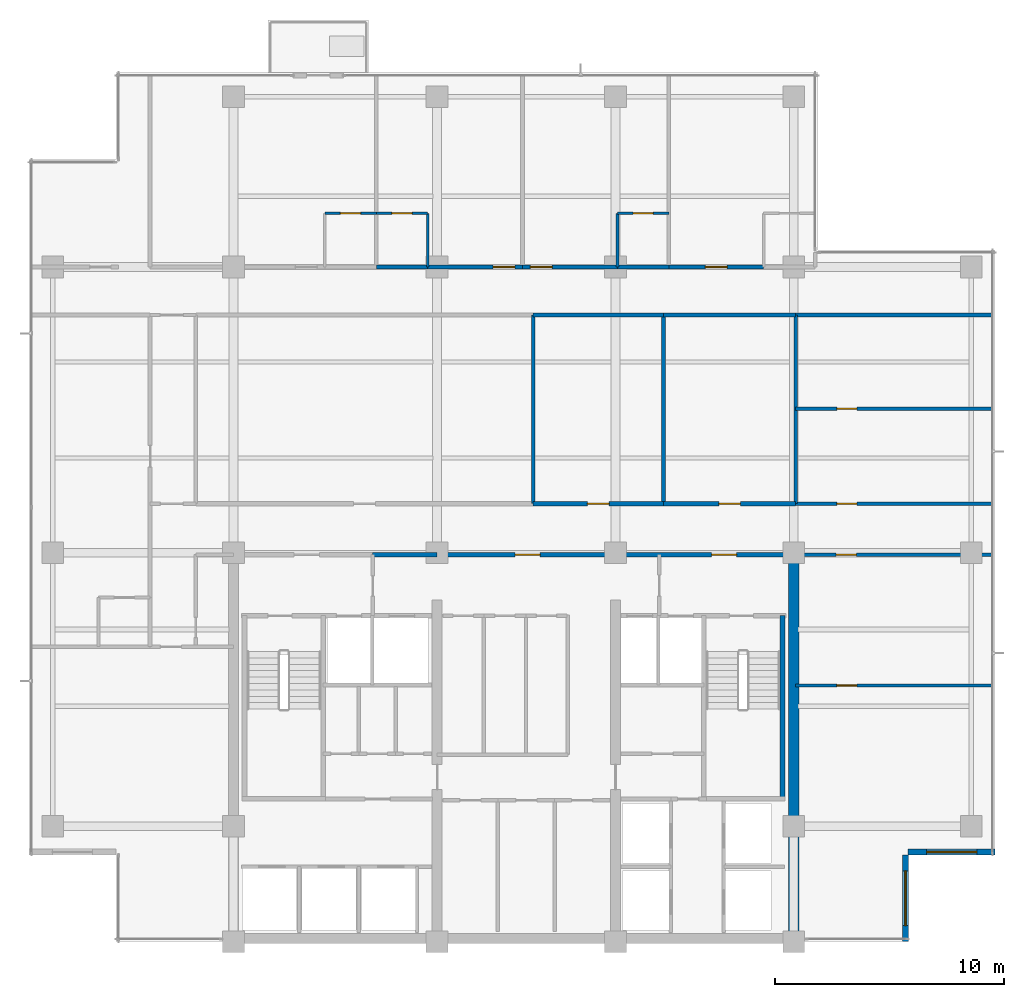
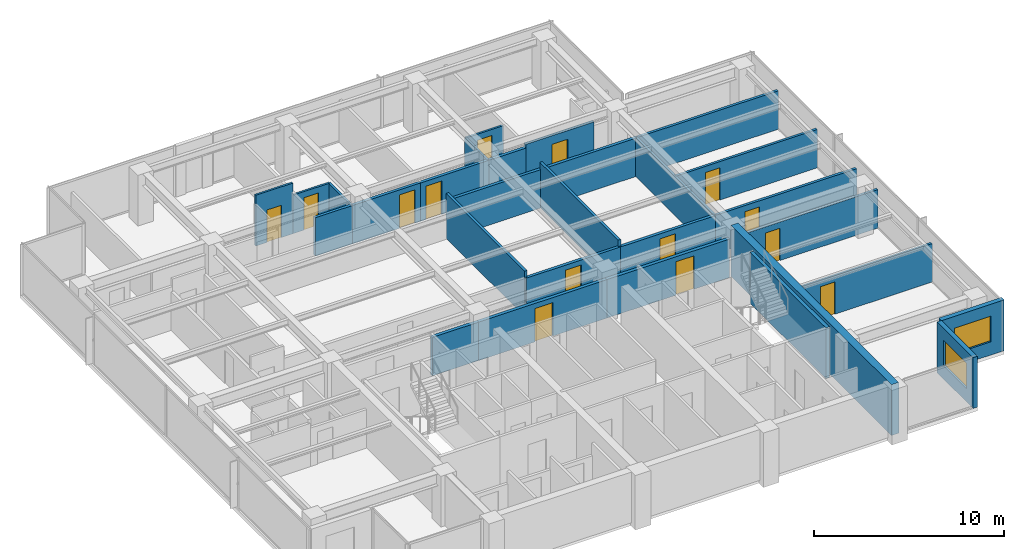
# One storey, part 9 of 14: 29 walls, 14 doors, 2 windows, 16 openings.
"""IFC4 building model written with IfcOpenShell, lengths in metres."""

from ifc_helpers import new_model, si_unit, direction, frame, frame_2d, origin, place, context, subcontext, project, spatial, rectangle, extrude, material, layer, layer_set, type_object, element, fill, save


model = new_model("IFC4")

# Units and contexts
model_context = context("Model", 3, precision=1e-05, world=origin(), true_north=direction((0.0, 1.0)))
body_context = subcontext(model_context, "Body", "Model", "MODEL_VIEW")
ifc_project = project(units=[si_unit("LENGTHUNIT", "METRE"), si_unit("AREAUNIT", "SQUARE_METRE"), si_unit("VOLUMEUNIT", "CUBIC_METRE"), si_unit("PLANEANGLEUNIT", "RADIAN"), si_unit("MASSUNIT", "GRAM", prefix="KILO")], contexts=[model_context])

# Site, building, storey
site_placement = place(None, origin())
site = spatial("IfcSite", under=ifc_project, at=site_placement, CompositionType="ELEMENT")
building_placement = place(site_placement, origin())
building = spatial("IfcBuilding", under=site, at=building_placement, Name="Qalmaran Belvedere Hotel", CompositionType="ELEMENT")
storey_placement = place(building_placement, frame((0.0, 0.0, 228.39990234375)))
storey = spatial("IfcBuildingStorey", under=building, at=storey_placement, Name="L58", CompositionType="ELEMENT", Elevation=228.39990234375)

# Wall
ifc_material_1 = material(Name="Concrete C50/60", Category="concrete")
ifc_layer_1 = layer(ifc_material_1, 0.449951171875, Name="Concrete C50/60")
ifc_layer_set_1 = layer_set([ifc_layer_1], Name="Concrete C50/60")
wall_type_1 = type_object("IfcWallType", Name="WL-CORE-450-C50", PredefinedType="SHEAR", material=ifc_layer_set_1)
wall_1_placement = place(storey_placement, frame((44.800048828125, 3.5, 0.0), z_axis=(0.0, 0.0, 1.0), x_axis=(0.0, 1.0, 0.0)))
element("IfcWall", 1, at=wall_1_placement, inside=storey, type_object=wall_type_1, Name="L58 East Core Shear Wall", PredefinedType="SHEAR", context=body_context, shape_type="SweptSolid", body=[
    extrude(rectangle(XDim=16.89990234375, YDim=0.449951171875, at=frame_2d((8.449951171875, 0.0))), origin(), (0.0, 0.0, 1.0), 3.260009765625),
])

# Wall, opening, window
ifc_material_2 = material(Name="Anodised Bronze Cladding")
ifc_layer_2 = layer(ifc_material_2, 0.280029296875, Name="Anodised Bronze Cladding")
ifc_layer_set_2 = layer_set([ifc_layer_2], Name="Anodised Bronze Cladding")
wall_type_2 = type_object("IfcWallType", Name="WL-EXT-BRNZ-280", PredefinedType="SOLIDWALL", material=ifc_layer_set_2)
wall_2_placement = place(storey_placement, frame((49.679931640625, 3.5, 0.0), z_axis=(0.0, 0.0, 1.0), x_axis=(0.0, 1.0, 0.0)))
wall_2 = element("IfcWall", 2, at=wall_2_placement, inside=storey, type_object=wall_type_2, Name="L58 Corner Notch Wall 1", PredefinedType="SOLIDWALL", context=body_context, shape_type="SweptSolid", body=[
    extrude(rectangle(XDim=3.800048828125, YDim=0.280029296875, at=frame_2d((1.89990234375, 0.0))), origin(), (0.0, 0.0, 1.0), 3.260009765625),
])
opening_1_placement = place(wall_2_placement, frame((0.699951171875, 0.0, 0.85009765625)))
opening_1 = element("IfcOpeningElement", 3, at=opening_1_placement, cuts=wall_2, Name="Opening W-N24", PredefinedType="OPENING", context=body_context, shape_type="SweptSolid", body=[
    extrude(rectangle(XDim=2.39990234375, YDim=1.64990234375, at=frame_2d((1.199951171875, 0.824951171875))), frame((0.0, 0.14990234375, 0.0), z_axis=(0.0, -1.0, 0.0), x_axis=(1.0, 0.0, 0.0)), (0.0, 0.0, 1.0), 0.300048828125),
])
ifc_material_3 = material(Name="Solar-Control Double Glazing", Category="glass")
window_type_1 = type_object("IfcWindowType", Name="WN-NTC-2400X1650", PartitioningType="SINGLE_PANEL", PredefinedType="WINDOW", material=ifc_material_3)
window_1_placement = place(opening_1_placement, origin())
window_1 = element("IfcWindow", 4, at=window_1_placement, inside=storey, type_object=window_type_1, Name="L58 Corner Notch Window 1", OverallHeight=1.64990234375, OverallWidth=2.39990234375, PartitioningType="SINGLE_PANEL", PredefinedType="WINDOW", context=body_context, shape_type="SweptSolid", body=[
    extrude(rectangle(XDim=2.39990234375, YDim=1.64990234375, at=frame_2d((1.199951171875, 0.824951171875))), frame((0.0, 0.030029296875, 0.0), z_axis=(0.0, -1.0, 0.0), x_axis=(1.0, 0.0, 0.0)), (0.0, 0.0, 1.0), 0.06005859375),
])
fill(opening_1, window_1)

wall_3_placement = place(storey_placement, frame((49.800048828125, 7.419921875, 0.0), z_axis=(0.0, 0.0, 1.0), x_axis=(1.0, 0.0, 0.0)))
wall_3 = element("IfcWall", 5, at=wall_3_placement, inside=storey, type_object=wall_type_2, Name="L58 Corner Notch Wall 2", PredefinedType="SOLIDWALL", context=body_context, shape_type="SweptSolid", body=[
    extrude(rectangle(XDim=3.800048828125, YDim=0.280029296875, at=frame_2d((1.89990234375, 0.0))), origin(), (0.0, 0.0, 1.0), 3.260009765625),
])
opening_2_placement = place(wall_3_placement, frame((0.800048828125, 0.0, 0.85009765625)))
opening_2 = element("IfcOpeningElement", 6, at=opening_2_placement, cuts=wall_3, Name="Opening W-N22", PredefinedType="OPENING", context=body_context, shape_type="SweptSolid", body=[
    extrude(rectangle(XDim=2.199951171875, YDim=1.64990234375, at=frame_2d((1.10009765625, 0.824951171875))), frame((0.0, 0.14990234375, 0.0), z_axis=(0.0, -1.0, 0.0), x_axis=(1.0, 0.0, 0.0)), (0.0, 0.0, 1.0), 0.300048828125),
])
window_type_2 = type_object("IfcWindowType", Name="WN-NTC-2200X1650", PartitioningType="SINGLE_PANEL", PredefinedType="WINDOW", material=ifc_material_3)
window_2_placement = place(opening_2_placement, origin())
window_2 = element("IfcWindow", 7, at=window_2_placement, inside=storey, type_object=window_type_2, Name="L58 Corner Notch Window 2", OverallHeight=1.64990234375, OverallWidth=2.199951171875, PartitioningType="SINGLE_PANEL", PredefinedType="WINDOW", context=body_context, shape_type="SweptSolid", body=[
    extrude(rectangle(XDim=2.199951171875, YDim=1.64990234375, at=frame_2d((1.10009765625, 0.824951171875))), frame((0.0, 0.030029296875, 0.0), z_axis=(0.0, -1.0, 0.0), x_axis=(1.0, 0.0, 0.0)), (0.0, 0.0, 1.0), 0.06005859375),
])
fill(opening_2, window_2)

# Wall, opening, door
ifc_material_4 = material(Name="Moisture-Resistant Gypsum")
ifc_layer_3 = layer(ifc_material_4, 0.1201171875, Name="Moisture-Resistant Gypsum")
ifc_layer_set_3 = layer_set([ifc_layer_3], Name="Moisture-Resistant Gypsum")
wall_type_3 = type_object("IfcWallType", Name="WL-INT-120-BATH", PredefinedType="PARTITIONING", material=ifc_layer_set_3)
wall_4_placement = place(storey_placement, frame((24.290283203125, 35.35009765625, 0.0), z_axis=(0.0, 0.0, 1.0), x_axis=(1.0, 0.0, 0.0)))
wall_4 = element("IfcWall", 8, at=wall_4_placement, inside=storey, type_object=wall_type_3, Name="L58 Partition WL-L58-NBN00", PredefinedType="PARTITIONING", context=body_context, shape_type="SweptSolid", body=[
    extrude(rectangle(XDim=2.25, YDim=0.1201171875, at=frame_2d((1.125, 0.0))), origin(), (0.0, 0.0, 1.0), 3.260009765625),
])
opening_3_placement = place(wall_4_placement, frame((1.56494140625, 0.0, 0.0), z_axis=(0.0, 0.0, 1.0), x_axis=(-1.0, 0.0, 0.0)))
opening_3 = element("IfcOpeningElement", 9, at=opening_3_placement, cuts=wall_4, Name="Opening D-BATH", PredefinedType="OPENING", context=body_context, shape_type="SweptSolid", body=[
    extrude(rectangle(XDim=0.8798828125, YDim=2.080078125, at=frame_2d((0.43994140625, 1.0400390625))), frame((0.0, 0.070068359375, 0.0), z_axis=(0.0, -1.0, 0.0), x_axis=(1.0, 0.0, 0.0)), (0.0, 0.0, 1.0), 0.14013671875),
])
ifc_material_5 = material(Name="Engineered Oak Veneer")
door_type_1 = type_object("IfcDoorType", Name="DR-INT-BATH-880X2080", OperationType="NOTDEFINED", PredefinedType="DOOR", material=ifc_material_5)
door_1_placement = place(opening_3_placement, origin())
door_1 = element("IfcDoor", 10, at=door_1_placement, inside=storey, type_object=door_type_1, Name="L58 Ensuite Bathroom Door N01", OperationType="SINGLE_SWING_LEFT", OverallHeight=2.080078125, OverallWidth=0.8798828125, PredefinedType="DOOR", context=body_context, shape_type="SweptSolid", body=[
    extrude(rectangle(XDim=0.8798828125, YDim=2.080078125, at=frame_2d((0.43994140625, 1.0400390625))), frame((0.0, 0.02490234375, 0.0), z_axis=(0.0, -1.0, 0.0), x_axis=(1.0, 0.0, 0.0)), (0.0, 0.0, 1.0), 0.050048828125),
])
fill(opening_3, door_1)

wall_5_placement = place(storey_placement, frame((26.540283203125, 35.35009765625, 0.0), z_axis=(0.0, 0.0, 1.0), x_axis=(1.0, 0.0, 0.0)))
wall_5 = element("IfcWall", 11, at=wall_5_placement, inside=storey, type_object=wall_type_3, Name="L58 Partition WL-L58-NBN01", PredefinedType="PARTITIONING", context=body_context, shape_type="SweptSolid", body=[
    extrude(rectangle(XDim=2.25, YDim=0.1201171875, at=frame_2d((1.125, 0.0))), origin(), (0.0, 0.0, 1.0), 2.47216796875),
])
opening_4_placement = place(wall_5_placement, frame((1.56494140625, 0.0, 0.0), z_axis=(0.0, 0.0, 1.0), x_axis=(-1.0, 0.0, 0.0)))
opening_4 = element("IfcOpeningElement", 12, at=opening_4_placement, cuts=wall_5, Name="Opening D-BATH", PredefinedType="OPENING", context=body_context, shape_type="SweptSolid", body=[
    extrude(rectangle(XDim=0.8798828125, YDim=2.080078125, at=frame_2d((0.43994140625, 1.0400390625))), frame((0.0, 0.070068359375, 0.0), z_axis=(0.0, -1.0, 0.0), x_axis=(1.0, 0.0, 0.0)), (0.0, 0.0, 1.0), 0.14013671875),
])
door_2_placement = place(opening_4_placement, origin())
door_2 = element("IfcDoor", 13, at=door_2_placement, inside=storey, type_object=door_type_1, Name="L58 Ensuite Bathroom Door N02", OperationType="SINGLE_SWING_LEFT", OverallHeight=2.080078125, OverallWidth=0.8798828125, PredefinedType="DOOR", context=body_context, shape_type="SweptSolid", body=[
    extrude(rectangle(XDim=0.8798828125, YDim=2.080078125, at=frame_2d((0.43994140625, 1.0400390625))), frame((0.0, 0.02490234375, 0.0), z_axis=(0.0, -1.0, 0.0), x_axis=(1.0, 0.0, 0.0)), (0.0, 0.0, 1.0), 0.050048828125),
])
fill(opening_4, door_2)

# Wall
wall_6_placement = place(storey_placement, frame((28.790283203125, 33.0, 0.0), z_axis=(0.0, 0.0, 1.0), x_axis=(0.0, 1.0, 0.0)))
element("IfcWall", 14, at=wall_6_placement, inside=storey, type_object=wall_type_3, Name="L58 Partition WL-L58-NBS01", PredefinedType="PARTITIONING", context=body_context, shape_type="SweptSolid", body=[
    extrude(rectangle(XDim=2.35009765625, YDim=0.1201171875, at=frame_2d((1.175048828125, 0.0))), origin(), (0.0, 0.0, 1.0), 2.47216796875),
])

# Wall, opening, door
wall_7_placement = place(storey_placement, frame((37.08349609375, 35.35009765625, 0.0), z_axis=(0.0, 0.0, 1.0), x_axis=(1.0, 0.0, 0.0)))
wall_7 = element("IfcWall", 15, at=wall_7_placement, inside=storey, type_object=wall_type_3, Name="L58 Partition WL-L58-NBN02", PredefinedType="PARTITIONING", context=body_context, shape_type="SweptSolid", body=[
    extrude(rectangle(XDim=2.25, YDim=0.1201171875, at=frame_2d((1.125, 0.0))), origin(), (0.0, 0.0, 1.0), 2.47216796875),
])
opening_5_placement = place(wall_7_placement, frame((1.56494140625, 0.0, 0.0), z_axis=(0.0, 0.0, 1.0), x_axis=(-1.0, 0.0, 0.0)))
opening_5 = element("IfcOpeningElement", 16, at=opening_5_placement, cuts=wall_7, Name="Opening D-BATH", PredefinedType="OPENING", context=body_context, shape_type="SweptSolid", body=[
    extrude(rectangle(XDim=0.8798828125, YDim=2.080078125, at=frame_2d((0.43994140625, 1.0400390625))), frame((0.0, 0.070068359375, 0.0), z_axis=(0.0, -1.0, 0.0), x_axis=(1.0, 0.0, 0.0)), (0.0, 0.0, 1.0), 0.14013671875),
])
door_3_placement = place(opening_5_placement, origin())
door_3 = element("IfcDoor", 17, at=door_3_placement, inside=storey, type_object=door_type_1, Name="L58 Ensuite Bathroom Door N03", OperationType="SINGLE_SWING_LEFT", OverallHeight=2.080078125, OverallWidth=0.8798828125, PredefinedType="DOOR", context=body_context, shape_type="SweptSolid", body=[
    extrude(rectangle(XDim=0.8798828125, YDim=2.080078125, at=frame_2d((0.43994140625, 1.0400390625))), frame((0.0, 0.02490234375, 0.0), z_axis=(0.0, -1.0, 0.0), x_axis=(1.0, 0.0, 0.0)), (0.0, 0.0, 1.0), 0.050048828125),
])
fill(opening_5, door_3)

# Wall
wall_8_placement = place(storey_placement, frame((37.08349609375, 33.0, 0.0), z_axis=(0.0, 0.0, 1.0), x_axis=(0.0, 1.0, 0.0)))
element("IfcWall", 18, at=wall_8_placement, inside=storey, type_object=wall_type_3, Name="L58 Partition WL-L58-NBS02", PredefinedType="PARTITIONING", context=body_context, shape_type="SweptSolid", body=[
    extrude(rectangle(XDim=2.35009765625, YDim=0.1201171875, at=frame_2d((1.175048828125, 0.0))), origin(), (0.0, 0.0, 1.0), 2.47216796875),
])

# Wall, opening, door
ifc_material_6 = material(Name="Gypsum Stud Partition")
ifc_layer_4 = layer(ifc_material_6, 0.14990234375, Name="Gypsum Stud Partition")
ifc_layer_set_4 = layer_set([ifc_layer_4], Name="Gypsum Stud Partition")
wall_type_4 = type_object("IfcWallType", Name="WL-INT-150-EI60", PredefinedType="PARTITIONING", material=ifc_layer_set_4)
wall_9_placement = place(storey_placement, frame((44.8798828125, 14.699951171875, 0.0), z_axis=(0.0, 0.0, 1.0), x_axis=(1.0, 0.0, 0.0)))
wall_9 = element("IfcWall", 19, at=wall_9_placement, inside=storey, type_object=wall_type_4, Name="L58 Partition WL-L58-ECEH0", PredefinedType="PARTITIONING", context=body_context, shape_type="SweptSolid", body=[
    extrude(rectangle(XDim=8.60009765625, YDim=0.14990234375, at=frame_2d((4.300048828125, 0.0))), origin(), (0.0, 0.0, 1.0), 2.47216796875),
])
opening_6_placement = place(wall_9_placement, frame((2.679931640625, 0.0, 0.0), z_axis=(0.0, 0.0, 1.0), x_axis=(-1.0, 0.0, 0.0)))
opening_6 = element("IfcOpeningElement", 20, at=opening_6_placement, cuts=wall_9, Name="Opening FD60B", PredefinedType="OPENING", context=body_context, shape_type="SweptSolid", body=[
    extrude(rectangle(XDim=0.8798828125, YDim=2.080078125, at=frame_2d((0.43994140625, 1.0400390625))), frame((0.0, 0.0849609375, 0.0), z_axis=(0.0, -1.0, 0.0), x_axis=(1.0, 0.0, 0.0)), (0.0, 0.0, 1.0), 0.169921875),
])
ifc_material_7 = material(Name="Steel S355JR", Category="steel")
door_type_2 = type_object("IfcDoorType", Name="DR-FD60B-880X2080", OperationType="NOTDEFINED", PredefinedType="DOOR", material=ifc_material_7)
door_4_placement = place(opening_6_placement, origin())
door_4 = element("IfcDoor", 21, at=door_4_placement, inside=storey, type_object=door_type_2, Name="L58 East Study Inner Door", OperationType="SINGLE_SWING_RIGHT", OverallHeight=2.080078125, OverallWidth=0.8798828125, PredefinedType="DOOR", context=body_context, shape_type="SweptSolid", body=[
    extrude(rectangle(XDim=0.8798828125, YDim=2.080078125, at=frame_2d((0.43994140625, 1.0400390625))), frame((0.0, 0.02490234375, 0.0), z_axis=(0.0, -1.0, 0.0), x_axis=(1.0, 0.0, 0.0)), (0.0, 0.0, 1.0), 0.050048828125),
])
fill(opening_6, door_4)

wall_10_placement = place(storey_placement, frame((44.8798828125, 26.800048828125, 0.0), z_axis=(0.0, 0.0, 1.0), x_axis=(1.0, 0.0, 0.0)))
wall_10 = element("IfcWall", 22, at=wall_10_placement, inside=storey, type_object=wall_type_4, Name="L58 Partition WL-L58-ECEH2", PredefinedType="PARTITIONING", context=body_context, shape_type="SweptSolid", body=[
    extrude(rectangle(XDim=8.60009765625, YDim=0.14990234375, at=frame_2d((4.300048828125, 0.0))), origin(), (0.0, 0.0, 1.0), 2.47216796875),
])
opening_7_placement = place(wall_10_placement, frame((1.800048828125, 0.0, 0.0)))
opening_7 = element("IfcOpeningElement", 23, at=opening_7_placement, cuts=wall_10, Name="Opening FD60B", PredefinedType="OPENING", context=body_context, shape_type="SweptSolid", body=[
    extrude(rectangle(XDim=0.8798828125, YDim=2.080078125, at=frame_2d((0.43994140625, 1.0400390625))), frame((0.0, 0.0849609375, 0.0), z_axis=(0.0, -1.0, 0.0), x_axis=(1.0, 0.0, 0.0)), (0.0, 0.0, 1.0), 0.169921875),
])
door_5_placement = place(opening_7_placement, origin())
door_5 = element("IfcDoor", 24, at=door_5_placement, inside=storey, type_object=door_type_2, Name="L58 East Meditation Door", OperationType="SINGLE_SWING_LEFT", OverallHeight=2.080078125, OverallWidth=0.8798828125, PredefinedType="DOOR", context=body_context, shape_type="SweptSolid", body=[
    extrude(rectangle(XDim=0.8798828125, YDim=2.080078125, at=frame_2d((0.43994140625, 1.0400390625))), frame((0.0, 0.02490234375, 0.0), z_axis=(0.0, -1.0, 0.0), x_axis=(1.0, 0.0, 0.0)), (0.0, 0.0, 1.0), 0.050048828125),
])
fill(opening_7, door_5)

ifc_layer_5 = layer(ifc_material_6, 0.159912109375, Name="Gypsum Stud Partition")
ifc_layer_set_5 = layer_set([ifc_layer_5], Name="Gypsum Stud Partition")
wall_type_5 = type_object("IfcWallType", Name="WL-INT-160-EI60", PredefinedType="PARTITIONING", material=ifc_layer_set_5)
wall_11_placement = place(storey_placement, frame((44.800048828125, 20.419921875, 0.0), z_axis=(0.0, 0.0, 1.0), x_axis=(1.0, 0.0, 0.0)))
wall_11 = element("IfcWall", 25, at=wall_11_placement, inside=storey, type_object=wall_type_5, Name="L58 Partition WL-L58-ECE1S", PredefinedType="PARTITIONING", context=body_context, shape_type="SweptSolid", body=[
    extrude(rectangle(XDim=8.679931640625, YDim=0.159912109375, at=frame_2d((4.33984375, 0.0))), origin(), (0.0, 0.0, 1.0), 2.47216796875),
])
opening_8_placement = place(wall_11_placement, frame((2.72998046875, 0.0, 0.0), z_axis=(0.0, 0.0, 1.0), x_axis=(-1.0, 0.0, 0.0)))
opening_8 = element("IfcOpeningElement", 26, at=opening_8_placement, cuts=wall_11, Name="Opening FD60B", PredefinedType="OPENING", context=body_context, shape_type="SweptSolid", body=[
    extrude(rectangle(XDim=0.8798828125, YDim=2.080078125, at=frame_2d((0.43994140625, 1.0400390625))), frame((0.0, 0.08984375, 0.0), z_axis=(0.0, -1.0, 0.0), x_axis=(1.0, 0.0, 0.0)), (0.0, 0.0, 1.0), 0.179931640625),
])
door_6_placement = place(opening_8_placement, origin())
door_6 = element("IfcDoor", 27, at=door_6_placement, inside=storey, type_object=door_type_2, Name="L58 East Library Door", OperationType="SINGLE_SWING_RIGHT", OverallHeight=2.080078125, OverallWidth=0.8798828125, PredefinedType="DOOR", context=body_context, shape_type="SweptSolid", body=[
    extrude(rectangle(XDim=0.8798828125, YDim=2.080078125, at=frame_2d((0.43994140625, 1.0400390625))), frame((0.0, 0.02490234375, 0.0), z_axis=(0.0, -1.0, 0.0), x_axis=(1.0, 0.0, 0.0)), (0.0, 0.0, 1.0), 0.050048828125),
])
fill(opening_8, door_6)

wall_12_placement = place(storey_placement, frame((44.8798828125, 22.64990234375, 0.0), z_axis=(0.0, 0.0, 1.0), x_axis=(1.0, 0.0, 0.0)))
wall_12 = element("IfcWall", 28, at=wall_12_placement, inside=storey, type_object=wall_type_5, Name="L58 Partition WL-L58-ECE2N", PredefinedType="PARTITIONING", context=body_context, shape_type="SweptSolid", body=[
    extrude(rectangle(XDim=8.60009765625, YDim=0.159912109375, at=frame_2d((4.300048828125, 0.0))), origin(), (0.0, 0.0, 1.0), 2.47216796875),
])
opening_9_placement = place(wall_12_placement, frame((1.800048828125, 0.0, 0.0)))
opening_9 = element("IfcOpeningElement", 29, at=opening_9_placement, cuts=wall_12, Name="Opening FD60B", PredefinedType="OPENING", context=body_context, shape_type="SweptSolid", body=[
    extrude(rectangle(XDim=0.8798828125, YDim=2.080078125, at=frame_2d((0.43994140625, 1.0400390625))), frame((0.0, 0.08984375, 0.0), z_axis=(0.0, -1.0, 0.0), x_axis=(1.0, 0.0, 0.0)), (0.0, 0.0, 1.0), 0.179931640625),
])
door_7_placement = place(opening_9_placement, origin())
door_7 = element("IfcDoor", 30, at=door_7_placement, inside=storey, type_object=door_type_2, Name="L58 East Fitness Door", OperationType="SINGLE_SWING_LEFT", OverallHeight=2.080078125, OverallWidth=0.8798828125, PredefinedType="DOOR", context=body_context, shape_type="SweptSolid", body=[
    extrude(rectangle(XDim=0.8798828125, YDim=2.080078125, at=frame_2d((0.43994140625, 1.0400390625))), frame((0.0, 0.02490234375, 0.0), z_axis=(0.0, -1.0, 0.0), x_axis=(1.0, 0.0, 0.0)), (0.0, 0.0, 1.0), 0.050048828125),
])
fill(opening_9, door_7)

# Walls
wall_13_placement = place(storey_placement, frame((44.8798828125, 30.89990234375, 0.0), z_axis=(0.0, 0.0, 1.0), x_axis=(1.0, 0.0, 0.0)))
element("IfcWall", 31, at=wall_13_placement, inside=storey, type_object=wall_type_5, Name="L58 Partition WL-L58-ECEN", PredefinedType="PARTITIONING", context=body_context, shape_type="SweptSolid", body=[
    extrude(rectangle(XDim=8.60009765625, YDim=0.159912109375, at=frame_2d((4.300048828125, 0.0))), origin(), (0.0, 0.0, 1.0), 2.47216796875),
])
for number, where, z_axis, x_axis, name in (
    (32, (33.39990234375, 22.64990234375, 0.0), (0.0, 0.0, 1.0), (0.0, 1.0, 0.0), "L58 Partition WL-L58-MIDVR1"),
    (33, (39.10009765625, 22.64990234375, 0.0), (0.0, 0.0, 1.0), (0.0, 1.0, 0.0), "L58 Partition WL-L58-MIDVR2"),
):
    element("IfcWall", number, at=place(storey_placement, frame(where, z_axis=z_axis, x_axis=x_axis)), inside=storey, type_object=wall_type_5, Name=name, PredefinedType="PARTITIONING", context=body_context, shape_type="SweptSolid", body=[
        extrude(rectangle(XDim=8.25, YDim=0.159912109375, at=frame_2d((4.125, 0.0))), origin(), (0.0, 0.0, 1.0), 2.88720703125),
    ])
wall_14_placement = place(storey_placement, frame((44.8798828125, 22.64990234375, 0.0), z_axis=(0.0, 0.0, 1.0), x_axis=(0.0, 1.0, 0.0)))
element("IfcWall", 34, at=wall_14_placement, inside=storey, type_object=wall_type_5, Name="L58 Partition WL-L58-MIDVR3", PredefinedType="PARTITIONING", context=body_context, shape_type="SweptSolid", body=[
    extrude(rectangle(XDim=8.25, YDim=0.159912109375, at=frame_2d((4.125, 0.0))), origin(), (0.0, 0.0, 1.0), 2.47216796875),
])

# Wall, opening, door
ifc_layer_6 = layer(ifc_material_6, 0.179931640625, Name="Gypsum Stud Partition")
ifc_layer_set_6 = layer_set([ifc_layer_6], Name="Gypsum Stud Partition")
wall_type_6 = type_object("IfcWallType", Name="WL-INT-180-EI60", PredefinedType="PARTITIONING", material=ifc_layer_set_6)
wall_15_placement = place(storey_placement, frame((33.39990234375, 22.64990234375, 0.0), z_axis=(0.0, 0.0, 1.0), x_axis=(1.0, 0.0, 0.0)))
wall_15 = element("IfcWall", 35, at=wall_15_placement, inside=storey, type_object=wall_type_6, Name="L58 Partition WL-L58-MIDD2", PredefinedType="PARTITIONING", context=body_context, shape_type="SweptSolid", body=[
    extrude(rectangle(XDim=5.7001953125, YDim=0.179931640625, at=frame_2d((2.85009765625, 0.0))), origin(), (0.0, 0.0, 1.0), 2.47216796875),
])
opening_10_placement = place(wall_15_placement, frame((2.375, 0.0, 0.0)))
opening_10 = element("IfcOpeningElement", 36, at=opening_10_placement, cuts=wall_15, Name="Opening FD60", PredefinedType="OPENING", context=body_context, shape_type="SweptSolid", body=[
    extrude(rectangle(XDim=0.949951171875, YDim=2.14990234375, at=frame_2d((0.47509765625, 1.074951171875))), frame((0.0, 0.10009765625, 0.0), z_axis=(0.0, -1.0, 0.0), x_axis=(1.0, 0.0, 0.0)), (0.0, 0.0, 1.0), 0.199951171875),
])
door_type_3 = type_object("IfcDoorType", Name="DR-FD60-950X2150", OperationType="NOTDEFINED", PredefinedType="DOOR", material=ifc_material_5)
door_8_placement = place(opening_10_placement, origin())
door_8 = element("IfcDoor", 37, at=door_8_placement, inside=storey, type_object=door_type_3, Name="L58 Luggage Store Door", OperationType="SINGLE_SWING_LEFT", OverallHeight=2.14990234375, OverallWidth=0.949951171875, PredefinedType="DOOR", context=body_context, shape_type="SweptSolid", body=[
    extrude(rectangle(XDim=0.949951171875, YDim=2.14990234375, at=frame_2d((0.47509765625, 1.074951171875))), frame((0.0, 0.02490234375, 0.0), z_axis=(0.0, -1.0, 0.0), x_axis=(1.0, 0.0, 0.0)), (0.0, 0.0, 1.0), 0.050048828125),
])
fill(opening_10, door_8)

# Wall
wall_16_placement = place(storey_placement, frame((33.39990234375, 30.89990234375, 0.0), z_axis=(0.0, 0.0, 1.0), x_axis=(1.0, 0.0, 0.0)))
element("IfcWall", 38, at=wall_16_placement, inside=storey, type_object=wall_type_6, Name="L58 Partition WL-L58-MIDO2", PredefinedType="PARTITIONING", context=body_context, shape_type="SweptSolid", body=[
    extrude(rectangle(XDim=5.7001953125, YDim=0.179931640625, at=frame_2d((2.85009765625, 0.0))), origin(), (0.0, 0.0, 1.0), 2.47216796875),
])

# Wall, opening, door
wall_17_placement = place(storey_placement, frame((39.10009765625, 22.64990234375, 0.0), z_axis=(0.0, 0.0, 1.0), x_axis=(1.0, 0.0, 0.0)))
wall_17 = element("IfcWall", 39, at=wall_17_placement, inside=storey, type_object=wall_type_6, Name="L58 Partition WL-L58-MIDD3", PredefinedType="PARTITIONING", context=body_context, shape_type="SweptSolid", body=[
    extrude(rectangle(XDim=5.77978515625, YDim=0.179931640625, at=frame_2d((2.889892578125, 0.0))), origin(), (0.0, 0.0, 1.0), 2.47216796875),
])
opening_11_placement = place(wall_17_placement, frame((2.4150390625, 0.0, 0.0)))
opening_11 = element("IfcOpeningElement", 40, at=opening_11_placement, cuts=wall_17, Name="Opening FD60", PredefinedType="OPENING", context=body_context, shape_type="SweptSolid", body=[
    extrude(rectangle(XDim=0.949951171875, YDim=2.14990234375, at=frame_2d((0.47509765625, 1.074951171875))), frame((0.0, 0.10009765625, 0.0), z_axis=(0.0, -1.0, 0.0), x_axis=(1.0, 0.0, 0.0)), (0.0, 0.0, 1.0), 0.199951171875),
])
door_9_placement = place(opening_11_placement, origin())
door_9 = element("IfcDoor", 41, at=door_9_placement, inside=storey, type_object=door_type_3, Name="L58 Butler Pantry Door", OperationType="SINGLE_SWING_RIGHT", OverallHeight=2.14990234375, OverallWidth=0.949951171875, PredefinedType="DOOR", context=body_context, shape_type="SweptSolid", body=[
    extrude(rectangle(XDim=0.949951171875, YDim=2.14990234375, at=frame_2d((0.47509765625, 1.074951171875))), frame((0.0, 0.02490234375, 0.0), z_axis=(0.0, -1.0, 0.0), x_axis=(1.0, 0.0, 0.0)), (0.0, 0.0, 1.0), 0.050048828125),
])
fill(opening_11, door_9)

# Walls
wall_18_placement = place(storey_placement, frame((39.10009765625, 30.89990234375, 0.0), z_axis=(0.0, 0.0, 1.0), x_axis=(1.0, 0.0, 0.0)))
element("IfcWall", 42, at=wall_18_placement, inside=storey, type_object=wall_type_6, Name="L58 Partition WL-L58-MIDO3", PredefinedType="PARTITIONING", context=body_context, shape_type="SweptSolid", body=[
    extrude(rectangle(XDim=5.77978515625, YDim=0.179931640625, at=frame_2d((2.889892578125, 0.0))), origin(), (0.0, 0.0, 1.0), 2.47216796875),
])
wall_19_placement = place(storey_placement, frame((26.540283203125, 33.0, 0.0), z_axis=(0.0, 0.0, 1.0), x_axis=(1.0, 0.0, 0.0)))
element("IfcWall", 43, at=wall_19_placement, inside=storey, type_object=wall_type_6, Name="L58 Partition WL-L58-NBC01", PredefinedType="PARTITIONING", context=body_context, shape_type="SweptSolid", body=[
    extrude(rectangle(XDim=2.25, YDim=0.179931640625, at=frame_2d((1.125, 0.0))), origin(), (0.0, 0.0, 1.0), 2.47216796875),
])

# Wall, opening, door
wall_20_placement = place(storey_placement, frame((28.790283203125, 33.0, 0.0), z_axis=(0.0, 0.0, 1.0), x_axis=(1.0, 0.0, 0.0)))
wall_20 = element("IfcWall", 44, at=wall_20_placement, inside=storey, type_object=wall_type_6, Name="L58 Partition WL-L58-NEC01", PredefinedType="PARTITIONING", context=body_context, shape_type="SweptSolid", body=[
    extrude(rectangle(XDim=4.146484375, YDim=0.179931640625, at=frame_2d((2.0732421875, 0.0))), origin(), (0.0, 0.0, 1.0), 2.47216796875),
])
opening_12_placement = place(wall_20_placement, frame((2.856689453125, 0.0, 0.0)))
opening_12 = element("IfcOpeningElement", 45, at=opening_12_placement, cuts=wall_20, Name="Opening FD60", PredefinedType="OPENING", context=body_context, shape_type="SweptSolid", body=[
    extrude(rectangle(XDim=0.949951171875, YDim=2.14990234375, at=frame_2d((0.47509765625, 1.074951171875))), frame((0.0, 0.10009765625, 0.0), z_axis=(0.0, -1.0, 0.0), x_axis=(1.0, 0.0, 0.0)), (0.0, 0.0, 1.0), 0.199951171875),
])
door_10_placement = place(opening_12_placement, origin())
door_10 = element("IfcDoor", 46, at=door_10_placement, inside=storey, type_object=door_type_3, Name="L58 Guest Entrance Door N02", OperationType="SINGLE_SWING_RIGHT", OverallHeight=2.14990234375, OverallWidth=0.949951171875, PredefinedType="DOOR", context=body_context, shape_type="SweptSolid", body=[
    extrude(rectangle(XDim=0.949951171875, YDim=2.14990234375, at=frame_2d((0.47509765625, 1.074951171875))), frame((0.0, 0.02490234375, 0.0), z_axis=(0.0, -1.0, 0.0), x_axis=(1.0, 0.0, 0.0)), (0.0, 0.0, 1.0), 0.050048828125),
])
fill(opening_12, door_10)

# Wall
wall_21_placement = place(storey_placement, frame((37.08349609375, 33.0, 0.0), z_axis=(0.0, 0.0, 1.0), x_axis=(1.0, 0.0, 0.0)))
element("IfcWall", 47, at=wall_21_placement, inside=storey, type_object=wall_type_6, Name="L58 Partition WL-L58-NBC02", PredefinedType="PARTITIONING", context=body_context, shape_type="SweptSolid", body=[
    extrude(rectangle(XDim=2.25, YDim=0.179931640625, at=frame_2d((1.125, 0.0))), origin(), (0.0, 0.0, 1.0), 2.47216796875),
])

# Wall, opening, door
wall_22_placement = place(storey_placement, frame((32.936767578125, 33.0, 0.0), z_axis=(0.0, 0.0, 1.0), x_axis=(1.0, 0.0, 0.0)))
wall_22 = element("IfcWall", 48, at=wall_22_placement, inside=storey, type_object=wall_type_6, Name="L58 Partition WL-L58-NEC02", PredefinedType="PARTITIONING", context=body_context, shape_type="SweptSolid", body=[
    extrude(rectangle(XDim=4.146728515625, YDim=0.179931640625, at=frame_2d((2.0732421875, 0.0))), origin(), (0.0, 0.0, 1.0), 2.47216796875),
])
opening_13_placement = place(wall_22_placement, frame((0.33984375, 0.0, 0.0)))
opening_13 = element("IfcOpeningElement", 49, at=opening_13_placement, cuts=wall_22, Name="Opening FD60", PredefinedType="OPENING", context=body_context, shape_type="SweptSolid", body=[
    extrude(rectangle(XDim=0.949951171875, YDim=2.14990234375, at=frame_2d((0.47509765625, 1.074951171875))), frame((0.0, 0.10009765625, 0.0), z_axis=(0.0, -1.0, 0.0), x_axis=(1.0, 0.0, 0.0)), (0.0, 0.0, 1.0), 0.199951171875),
])
door_11_placement = place(opening_13_placement, origin())
door_11 = element("IfcDoor", 50, at=door_11_placement, inside=storey, type_object=door_type_3, Name="L58 Guest Entrance Door N03", OperationType="SINGLE_SWING_RIGHT", OverallHeight=2.14990234375, OverallWidth=0.949951171875, PredefinedType="DOOR", context=body_context, shape_type="SweptSolid", body=[
    extrude(rectangle(XDim=0.949951171875, YDim=2.14990234375, at=frame_2d((0.47509765625, 1.074951171875))), frame((0.0, 0.02490234375, 0.0), z_axis=(0.0, -1.0, 0.0), x_axis=(1.0, 0.0, 0.0)), (0.0, 0.0, 1.0), 0.050048828125),
])
fill(opening_13, door_11)

wall_23_placement = place(storey_placement, frame((39.33349609375, 33.0, 0.0), z_axis=(0.0, 0.0, 1.0), x_axis=(1.0, 0.0, 0.0)))
wall_23 = element("IfcWall", 51, at=wall_23_placement, inside=storey, type_object=wall_type_6, Name="L58 Partition WL-L58-NEC03", PredefinedType="PARTITIONING", context=body_context, shape_type="SweptSolid", body=[
    extrude(rectangle(XDim=4.146484375, YDim=0.179931640625, at=frame_2d((2.0732421875, 0.0))), origin(), (0.0, 0.0, 1.0), 2.7060546875),
])
opening_14_placement = place(wall_23_placement, frame((1.598388671875, 0.0, 0.0)))
opening_14 = element("IfcOpeningElement", 52, at=opening_14_placement, cuts=wall_23, Name="Opening FD60", PredefinedType="OPENING", context=body_context, shape_type="SweptSolid", body=[
    extrude(rectangle(XDim=0.949951171875, YDim=2.14990234375, at=frame_2d((0.47509765625, 1.074951171875))), frame((0.0, 0.10009765625, 0.0), z_axis=(0.0, -1.0, 0.0), x_axis=(1.0, 0.0, 0.0)), (0.0, 0.0, 1.0), 0.199951171875),
])
door_12_placement = place(opening_14_placement, origin())
door_12 = element("IfcDoor", 53, at=door_12_placement, inside=storey, type_object=door_type_3, Name="L58 Guest Entrance Door N04", OperationType="SINGLE_SWING_RIGHT", OverallHeight=2.14990234375, OverallWidth=0.949951171875, PredefinedType="DOOR", context=body_context, shape_type="SweptSolid", body=[
    extrude(rectangle(XDim=0.949951171875, YDim=2.14990234375, at=frame_2d((0.47509765625, 1.074951171875))), frame((0.0, 0.02490234375, 0.0), z_axis=(0.0, -1.0, 0.0), x_axis=(1.0, 0.0, 0.0)), (0.0, 0.0, 1.0), 0.050048828125),
])
fill(opening_14, door_12)

# Wall
ifc_material_8 = material(Name="Concrete C30/37 Blockwork", Category="masonry")
ifc_layer_7 = layer(ifc_material_8, 0.199951171875, Name="Concrete C30/37 Blockwork")
ifc_layer_set_7 = layer_set([ifc_layer_7], Name="Concrete C30/37 Blockwork")
wall_type_7 = type_object("IfcWallType", Name="WL-INT-200-EI120", PredefinedType="PARTITIONING", material=ifc_layer_set_7)
wall_24_placement = place(storey_placement, frame((26.3798828125, 20.419921875, 0.0), z_axis=(0.0, 0.0, 1.0), x_axis=(1.0, 0.0, 0.0)))
element("IfcWall", 54, at=wall_24_placement, inside=storey, type_object=wall_type_7, Name="L58 Partition WL-CN1B-L58", PredefinedType="PARTITIONING", context=body_context, shape_type="SweptSolid", body=[
    extrude(rectangle(XDim=2.820068359375, YDim=0.199951171875, at=frame_2d((1.41015625, 0.0))), origin(), (0.0, 0.0, 1.0), 2.47216796875),
])

# Wall, opening, door
wall_25_placement = place(storey_placement, frame((29.199951171875, 20.419921875, 0.0), z_axis=(0.0, 0.0, 1.0), x_axis=(1.0, 0.0, 0.0)))
wall_25 = element("IfcWall", 55, at=wall_25_placement, inside=storey, type_object=wall_type_7, Name="L58 Partition WL-CN2-L58", PredefinedType="PARTITIONING", context=body_context, shape_type="SweptSolid", body=[
    extrude(rectangle(XDim=7.800048828125, YDim=0.199951171875, at=frame_2d((3.89990234375, 0.0))), origin(), (0.0, 0.0, 1.0), 2.47216796875),
])
opening_15_placement = place(wall_25_placement, frame((3.4091796875, 0.0, 0.0)))
opening_15 = element("IfcOpeningElement", 56, at=opening_15_placement, cuts=wall_25, Name="Opening FD90", PredefinedType="OPENING", context=body_context, shape_type="SweptSolid", body=[
    extrude(rectangle(XDim=1.10009765625, YDim=2.14990234375, at=frame_2d((0.550048828125, 1.074951171875))), frame((0.0, 0.10986328125, 0.0), z_axis=(0.0, -1.0, 0.0), x_axis=(1.0, 0.0, 0.0)), (0.0, 0.0, 1.0), 0.219970703125),
])
door_type_4 = type_object("IfcDoorType", Name="DR-FD90-1100X2150", OperationType="NOTDEFINED", PredefinedType="DOOR", material=ifc_material_7)
door_13_placement = place(opening_15_placement, origin())
door_13 = element("IfcDoor", 57, at=door_13_placement, inside=storey, type_object=door_type_4, Name="L58 Central Lift Lobby Door", OperationType="SINGLE_SWING_RIGHT", OverallHeight=2.14990234375, OverallWidth=1.10009765625, PredefinedType="DOOR", context=body_context, shape_type="SweptSolid", body=[
    extrude(rectangle(XDim=1.10009765625, YDim=2.14990234375, at=frame_2d((0.550048828125, 1.074951171875))), frame((0.0, 0.02490234375, 0.0), z_axis=(0.0, -1.0, 0.0), x_axis=(1.0, 0.0, 0.0)), (0.0, 0.0, 1.0), 0.050048828125),
])
fill(opening_15, door_13)

wall_26_placement = place(storey_placement, frame((37.0, 20.419921875, 0.0), z_axis=(0.0, 0.0, 1.0), x_axis=(1.0, 0.0, 0.0)))
wall_26 = element("IfcWall", 58, at=wall_26_placement, inside=storey, type_object=wall_type_7, Name="L58 Partition WL-CN3-L58", PredefinedType="PARTITIONING", context=body_context, shape_type="SweptSolid", body=[
    extrude(rectangle(XDim=7.449951171875, YDim=0.199951171875, at=frame_2d((3.72509765625, 0.0))), origin(), (0.0, 0.0, 1.0), 2.47216796875),
])
opening_16_placement = place(wall_26_placement, frame((4.199951171875, 0.0, 0.0)))
opening_16 = element("IfcOpeningElement", 59, at=opening_16_placement, cuts=wall_26, Name="Opening FD90", PredefinedType="OPENING", context=body_context, shape_type="SweptSolid", body=[
    extrude(rectangle(XDim=1.10009765625, YDim=2.14990234375, at=frame_2d((0.550048828125, 1.074951171875))), frame((0.0, 0.10986328125, 0.0), z_axis=(0.0, -1.0, 0.0), x_axis=(1.0, 0.0, 0.0)), (0.0, 0.0, 1.0), 0.219970703125),
])
door_14_placement = place(opening_16_placement, origin())
door_14 = element("IfcDoor", 60, at=door_14_placement, inside=storey, type_object=door_type_4, Name="L58 FF2 Lobby Corridor Door", OperationType="SINGLE_SWING_LEFT", OverallHeight=2.14990234375, OverallWidth=1.10009765625, PredefinedType="DOOR", context=body_context, shape_type="SweptSolid", body=[
    extrude(rectangle(XDim=1.10009765625, YDim=2.14990234375, at=frame_2d((0.550048828125, 1.074951171875))), frame((0.0, 0.02490234375, 0.0), z_axis=(0.0, -1.0, 0.0), x_axis=(1.0, 0.0, 0.0)), (0.0, 0.0, 1.0), 0.050048828125),
])
fill(opening_16, door_14)

# Wall
ifc_layer_8 = layer(ifc_material_1, 0.2099609375, Name="Concrete C50/60")
ifc_layer_set_8 = layer_set([ifc_layer_8], Name="Concrete C50/60")
wall_type_8 = type_object("IfcWallType", Name="WL-STAIR-210-C50", PredefinedType="SHEAR", material=ifc_layer_set_8)
wall_27_placement = place(storey_placement, frame((44.304931640625, 9.7451171875, 0.0), z_axis=(0.0, 0.0, 1.0), x_axis=(0.0, 1.0, 0.0)))
element("IfcWall", 61, at=wall_27_placement, inside=storey, type_object=wall_type_8, Name="L58 Stair ST-2 East Bearing Wall", PredefinedType="SHEAR", context=body_context, shape_type="SweptSolid", body=[
    extrude(rectangle(XDim=8.009765625, YDim=0.2099609375, at=frame_2d((4.0048828125, 0.0))), origin(), (0.0, 0.0, 1.0), 3.260009765625),
])

save(model, "model.ifc")
